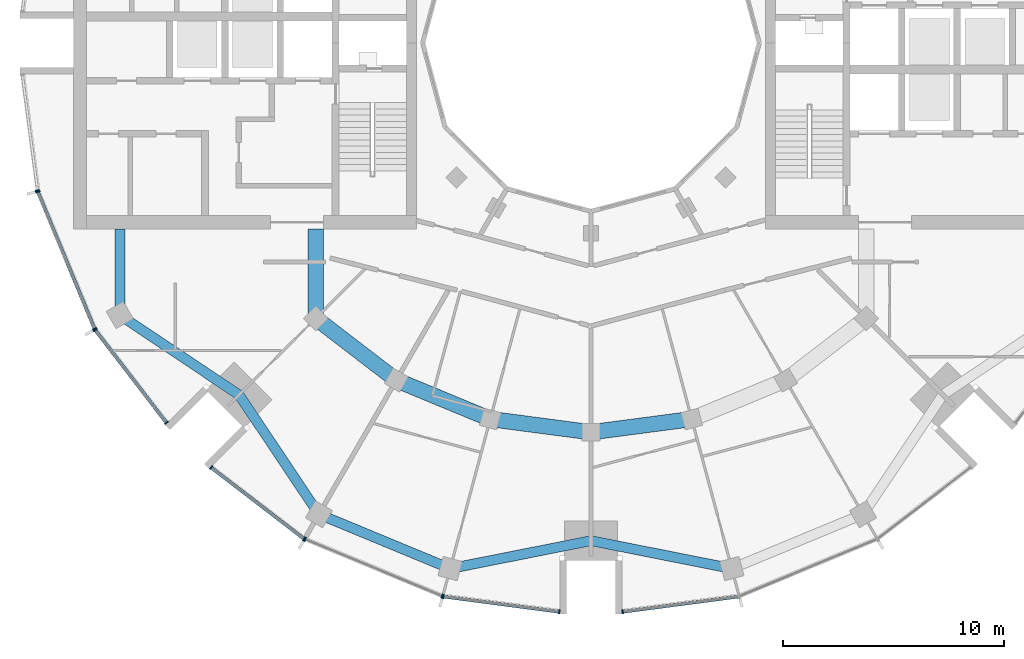
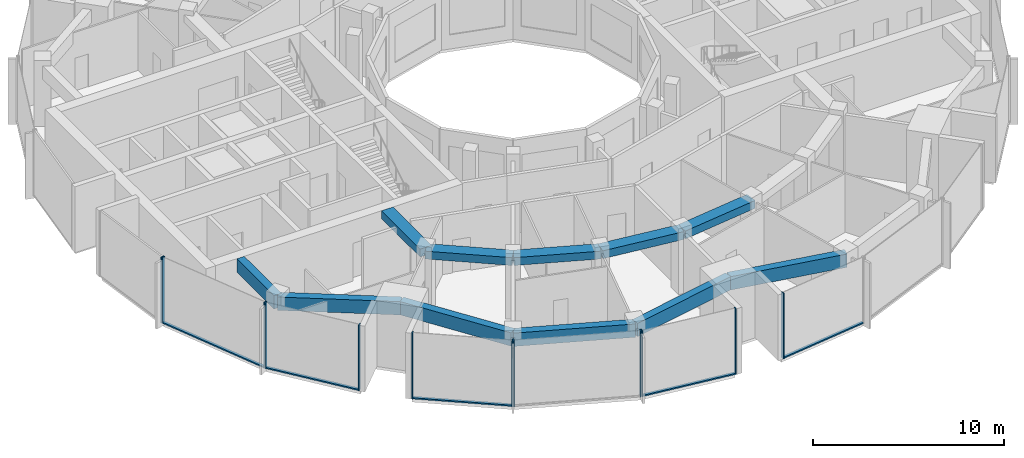
# One storey, part 2 of 15: 17 members, 11 beams, 7 elements without a shape of their own.
"""IFC4 building model written with IfcOpenShell, lengths in metres."""

from ifc_helpers import new_model, si_unit, direction, frame, origin, origin_2d, place, context, subcontext, project, spatial, rectangle, extrude, material, layer, layer_set, material_profile, profile_set, type_object, element, aggregate, save


model = new_model("IFC4")

# Units and contexts
model_context = context("Model", 3, precision=1e-05, world=origin(), true_north=direction((0.0, 1.0)))
body_context = subcontext(model_context, "Body", "Model", "MODEL_VIEW")
ifc_project = project(units=[si_unit("LENGTHUNIT", "METRE"), si_unit("AREAUNIT", "SQUARE_METRE"), si_unit("VOLUMEUNIT", "CUBIC_METRE"), si_unit("PLANEANGLEUNIT", "RADIAN"), si_unit("MASSUNIT", "GRAM", prefix="KILO")], contexts=[model_context])

# Site, building, storey
site_placement = place(None, origin())
site = spatial("IfcSite", under=ifc_project, at=site_placement, CompositionType="ELEMENT")
building_placement = place(site_placement, origin())
building = spatial("IfcBuilding", under=site, at=building_placement, Name="Torre Brocal", CompositionType="ELEMENT")
storey_placement = place(building_placement, frame((0.0, 0.0, 220.89990234375)))
storey = spatial("IfcBuildingStorey", under=building, at=storey_placement, Name="L51", CompositionType="ELEMENT", Elevation=220.89990234375)

# Curtain wall, members
ifc_material_1 = material(Name="Aluminium and glass", Category="aluminium")
ifc_layer_1 = layer(ifc_material_1, 0.199951171875)
ifc_layer_set_1 = layer_set([ifc_layer_1], Name="Aluminium and glass")
curtain_wall_type_1 = type_object("IfcCurtainWallType", Name="CW-1 CURTAIN WALL 4200 HIGH", PredefinedType="NOTDEFINED", material=ifc_layer_set_1)
curtain_wall_1_placement = place(storey_placement, origin())
curtain_wall_1 = element("IfcCurtainWall", 1, at=curtain_wall_1_placement, inside=storey, type_object=curtain_wall_type_1, Name="CW-1 RUN 14", PredefinedType="NOTDEFINED")
ifc_material_2 = material(Name="Aluminium, dark anodised", Category="aluminium")
ifc_material_profile_1 = material_profile(ifc_material_2, rectangle(XDim=0.199951171875, YDim=0.06005859375, at=origin_2d()), Name="CW-1 MULLION 60X200")
ifc_profile_set_1 = profile_set([ifc_material_profile_1], Name="Aluminium, dark anodised")
member_type_1 = type_object("IfcMemberType", Name="CW-1 MULLION 60X200", PredefinedType="MULLION", material=ifc_profile_set_1)
member_1_placement = place(storey_placement, frame((54.994873046875, 68.26904296875, 0.0), z_axis=(0.0, 0.0, 1.0), x_axis=(0.923879532525, 0.382683432333, 0.0)))
member_1 = element("IfcMember", 2, at=member_1_placement, type_object=member_type_1, Name="CW1-5 mullion 1", PredefinedType="MULLION", context=body_context, shape_type="SweptSolid", body=[
    extrude(rectangle(XDim=0.199951171875, YDim=0.06005859375, at=origin_2d()), origin(), (0.0, 0.0, 1.0), 4.2001953125),
])
member_2_placement = place(storey_placement, frame((57.559326171875, 62.078125, 0.0), z_axis=(0.0, 0.0, 1.0), x_axis=(0.923879532525, 0.382683432333, 0.0)))
member_2 = element("IfcMember", 3, at=member_2_placement, type_object=member_type_1, Name="CW1-5 mullion 2", PredefinedType="MULLION", context=body_context, shape_type="SweptSolid", body=[
    extrude(rectangle(XDim=0.199951171875, YDim=0.06005859375, at=origin_2d()), origin(), (0.0, 0.0, 1.0), 4.2001953125),
])

curtain_wall_2_placement = place(storey_placement, origin())
curtain_wall_2 = element("IfcCurtainWall", 4, at=curtain_wall_2_placement, inside=storey, type_object=curtain_wall_type_1, Name="CW-1 RUN 15", PredefinedType="NOTDEFINED")
member_3_placement = place(storey_placement, frame((57.5888671875, 62.026611328125, 0.0), z_axis=(0.0, 0.0, 1.0), x_axis=(0.793353340259, 0.60876142905, 0.0)))
member_3 = element("IfcMember", 5, at=member_3_placement, type_object=member_type_1, Name="CW1-5 mullion 1", PredefinedType="MULLION", context=body_context, shape_type="SweptSolid", body=[
    extrude(rectangle(XDim=0.199951171875, YDim=0.06005859375, at=origin_2d()), origin(), (0.0, 0.0, 1.0), 4.2001953125),
])
member_4_placement = place(storey_placement, frame((60.80859375, 57.83056640625, 0.0), z_axis=(0.0, 0.0, 1.0), x_axis=(0.793353340259, 0.60876142905, 0.0)))
member_4 = element("IfcMember", 6, at=member_4_placement, type_object=member_type_1, Name="CW1-5 mullion 2", PredefinedType="MULLION", context=body_context, shape_type="SweptSolid", body=[
    extrude(rectangle(XDim=0.199951171875, YDim=0.06005859375, at=origin_2d()), origin(), (0.0, 0.0, 1.0), 4.2001953125),
])

curtain_wall_3_placement = place(storey_placement, origin())
curtain_wall_3 = element("IfcCurtainWall", 7, at=curtain_wall_3_placement, inside=storey, type_object=curtain_wall_type_1, Name="CW-1 RUN 16", PredefinedType="NOTDEFINED")
member_5_placement = place(storey_placement, frame((62.83056640625, 55.80859375, 0.0), z_axis=(0.0, 0.0, 1.0), x_axis=(0.60876142905, 0.793353340259, 0.0)))
member_5 = element("IfcMember", 8, at=member_5_placement, type_object=member_type_1, Name="CW1-5 mullion 1", PredefinedType="MULLION", context=body_context, shape_type="SweptSolid", body=[
    extrude(rectangle(XDim=0.199951171875, YDim=0.06005859375, at=origin_2d()), origin(), (0.0, 0.0, 1.0), 4.2001953125),
])
member_6_placement = place(storey_placement, frame((67.026611328125, 52.5888671875, 0.0), z_axis=(0.0, 0.0, 1.0), x_axis=(0.60876142905, 0.793353340259, 0.0)))
member_6 = element("IfcMember", 9, at=member_6_placement, type_object=member_type_1, Name="CW1-5 mullion 2", PredefinedType="MULLION", context=body_context, shape_type="SweptSolid", body=[
    extrude(rectangle(XDim=0.199951171875, YDim=0.06005859375, at=origin_2d()), origin(), (0.0, 0.0, 1.0), 4.2001953125),
])

curtain_wall_4_placement = place(storey_placement, origin())
curtain_wall_4 = element("IfcCurtainWall", 10, at=curtain_wall_4_placement, inside=storey, type_object=curtain_wall_type_1, Name="CW-1 RUN 17", PredefinedType="NOTDEFINED")
member_7_placement = place(storey_placement, frame((67.078125, 52.559326171875, 0.0), z_axis=(0.0, 0.0, 1.0), x_axis=(0.382683432333, 0.923879532525, 0.0)))
member_7 = element("IfcMember", 11, at=member_7_placement, type_object=member_type_1, Name="CW1-5 mullion 1", PredefinedType="MULLION", context=body_context, shape_type="SweptSolid", body=[
    extrude(rectangle(XDim=0.199951171875, YDim=0.06005859375, at=origin_2d()), origin(), (0.0, 0.0, 1.0), 4.2001953125),
])
member_8_placement = place(storey_placement, frame((73.26904296875, 49.994873046875, 0.0), z_axis=(0.0, 0.0, 1.0), x_axis=(0.382683432333, 0.923879532525, 0.0)))
member_8 = element("IfcMember", 12, at=member_8_placement, type_object=member_type_1, Name="CW1-5 mullion 2", PredefinedType="MULLION", context=body_context, shape_type="SweptSolid", body=[
    extrude(rectangle(XDim=0.199951171875, YDim=0.06005859375, at=origin_2d()), origin(), (0.0, 0.0, 1.0), 4.2001953125),
])
aggregate(curtain_wall_4, [member_7, member_8])

curtain_wall_5_placement = place(storey_placement, origin())
curtain_wall_5 = element("IfcCurtainWall", 13, at=curtain_wall_5_placement, inside=storey, type_object=curtain_wall_type_1, Name="CW-1 RUN 18", PredefinedType="NOTDEFINED")
member_9_placement = place(storey_placement, frame((73.32666015625, 49.9794921875, 0.0), z_axis=(0.0, 0.0, 1.0), x_axis=(0.13052619222, 0.991444861374, 0.0)))
member_9 = element("IfcMember", 14, at=member_9_placement, type_object=member_type_1, Name="CW1-5 mullion 1", PredefinedType="MULLION", context=body_context, shape_type="SweptSolid", body=[
    extrude(rectangle(XDim=0.199951171875, YDim=0.06005859375, at=origin_2d()), origin(), (0.0, 0.0, 1.0), 4.2001953125),
])
member_10_placement = place(storey_placement, frame((78.5703125, 49.2890625, 0.0), z_axis=(0.0, 0.0, 1.0), x_axis=(0.13052619222, 0.991444861374, 0.0)))
member_10 = element("IfcMember", 15, at=member_10_placement, type_object=member_type_1, Name="CW1-5 mullion 2", PredefinedType="MULLION", context=body_context, shape_type="SweptSolid", body=[
    extrude(rectangle(XDim=0.199951171875, YDim=0.06005859375, at=origin_2d()), origin(), (0.0, 0.0, 1.0), 4.2001953125),
])

# Curtain wall, member
curtain_wall_6_placement = place(storey_placement, origin())
curtain_wall_6 = element("IfcCurtainWall", 16, at=curtain_wall_6_placement, inside=storey, type_object=curtain_wall_type_1, Name="CW-1 RUN 19", PredefinedType="NOTDEFINED")
member_11_placement = place(storey_placement, frame((81.4296875, 49.2890625, 0.0), z_axis=(0.0, 0.0, 1.0), x_axis=(-0.13052619222, 0.991444861374, 0.0)))
member_11 = element("IfcMember", 17, at=member_11_placement, type_object=member_type_1, Name="CW1-5 mullion 1", PredefinedType="MULLION", context=body_context, shape_type="SweptSolid", body=[
    extrude(rectangle(XDim=0.199951171875, YDim=0.06005859375, at=origin_2d()), origin(), (0.0, 0.0, 1.0), 4.2001953125),
])

# Member
ifc_material_3 = material(Name="Aluminium, dark anodised", Category="aluminium")
ifc_material_profile_2 = material_profile(ifc_material_3, rectangle(XDim=0.159912109375, YDim=0.080078125, at=origin_2d()), Name="CW-1 TRANSOM 160X80")
ifc_profile_set_2 = profile_set([ifc_material_profile_2], Name="Aluminium, dark anodised")
member_type_2 = type_object("IfcMemberType", Name="CW-1 TRANSOM 160X80", PredefinedType="USERDEFINED", material=ifc_profile_set_2)
member_12_placement = place(storey_placement, frame((55.00634765625, 68.241455078125, 0.0400390625), z_axis=(0.38266457234, -0.923887344364, 0.0), x_axis=(0.923887344364, 0.38266457234, 0.0)))
member_12 = element("IfcMember", 18, at=member_12_placement, type_object=member_type_2, Name="CW1-5 transom 1.1", ObjectType="TRANSOM", PredefinedType="USERDEFINED", context=body_context, shape_type="SweptSolid", body=[
    extrude(rectangle(XDim=0.159912109375, YDim=0.080078125, at=origin_2d()), origin(), (0.0, 0.0, 1.0), 6.640869140625),
])

aggregate(curtain_wall_1, [member_1, member_2, member_12])

member_13_placement = place(storey_placement, frame((57.607177734375, 62.0029296875, 0.0400390625), z_axis=(0.60874908096, -0.79336281513, 0.0), x_axis=(0.79336281513, 0.60874908096, 0.0)))
member_13 = element("IfcMember", 19, at=member_13_placement, type_object=member_type_2, Name="CW1-5 transom 1.1", ObjectType="TRANSOM", PredefinedType="USERDEFINED", context=body_context, shape_type="SweptSolid", body=[
    extrude(rectangle(XDim=0.159912109375, YDim=0.080078125, at=origin_2d()), origin(), (0.0, 0.0, 1.0), 5.22900390625),
])

aggregate(curtain_wall_2, [member_3, member_4, member_13])

member_14_placement = place(storey_placement, frame((62.8544921875, 55.790283203125, 0.0400390625), z_axis=(0.79336281513, -0.60874908096, 0.0), x_axis=(0.60874908096, 0.79336281513, 0.0)))
member_14 = element("IfcMember", 20, at=member_14_placement, type_object=member_type_2, Name="CW1-5 transom 1.1", ObjectType="TRANSOM", PredefinedType="USERDEFINED", context=body_context, shape_type="SweptSolid", body=[
    extrude(rectangle(XDim=0.159912109375, YDim=0.080078125, at=origin_2d()), origin(), (0.0, 0.0, 1.0), 5.22900390625),
])

aggregate(curtain_wall_3, [member_5, member_6, member_14])

member_15_placement = place(storey_placement, frame((73.356201171875, 49.9755859375, 0.0400390625), z_axis=(0.991442690863, -0.130542677827, 0.0), x_axis=(0.130542677827, 0.991442690863, 0.0)))
member_15 = element("IfcMember", 21, at=member_15_placement, type_object=member_type_2, Name="CW1-5 transom 1.1", ObjectType="TRANSOM", PredefinedType="USERDEFINED", context=body_context, shape_type="SweptSolid", body=[
    extrude(rectangle(XDim=0.159912109375, YDim=0.080078125, at=origin_2d()), origin(), (0.0, 0.0, 1.0), 5.22900390625),
])

aggregate(curtain_wall_5, [member_9, member_10, member_15])

member_16_placement = place(storey_placement, frame((81.45947265625, 49.29296875, 0.0400390625), z_axis=(0.991442690863, 0.130542677827, 0.0), x_axis=(-0.130542677827, 0.991442690863, 0.0)))
member_16 = element("IfcMember", 22, at=member_16_placement, type_object=member_type_2, Name="CW1-5 transom 1.1", ObjectType="TRANSOM", PredefinedType="USERDEFINED", context=body_context, shape_type="SweptSolid", body=[
    extrude(rectangle(XDim=0.159912109375, YDim=0.080078125, at=origin_2d()), origin(), (0.0, 0.0, 1.0), 5.22900390625),
])

aggregate(curtain_wall_6, [member_11, member_16])

# Curtain wall, member
ifc_material_4 = material(Name="Aluminium and glass", Category="aluminium")
ifc_layer_2 = layer(ifc_material_4, 0.199951171875)
ifc_layer_set_2 = layer_set([ifc_layer_2], Name="Aluminium and glass")
curtain_wall_type_2 = type_object("IfcCurtainWallType", Name="CW-1B CURTAIN WALL 4200 HIGH", PredefinedType="NOTDEFINED", material=ifc_layer_set_2)
curtain_wall_7_placement = place(storey_placement, origin())
curtain_wall_7 = element("IfcCurtainWall", 23, at=curtain_wall_7_placement, inside=storey, type_object=curtain_wall_type_2, Name="CW-1B RUN 13", PredefinedType="NOTDEFINED")
ifc_material_5 = material(Name="Aluminium, dark anodised", Category="aluminium")
ifc_material_profile_3 = material_profile(ifc_material_5, rectangle(XDim=0.199951171875, YDim=0.06005859375, at=origin_2d()), Name="CW-1B MULLION 60X200")
ifc_profile_set_3 = profile_set([ifc_material_profile_3], Name="Aluminium, dark anodised")
member_type_3 = type_object("IfcMemberType", Name="CW-1B MULLION 60X200", PredefinedType="MULLION", material=ifc_profile_set_3)
member_17_placement = place(storey_placement, frame((54.9794921875, 68.32666015625, 0.0), z_axis=(0.0, 0.0, 1.0), x_axis=(0.991444861374, 0.13052619222, 0.0)))
member_17 = element("IfcMember", 24, at=member_17_placement, type_object=member_type_3, Name="CW1B-5 mullion 2", PredefinedType="MULLION", context=body_context, shape_type="SweptSolid", body=[
    extrude(rectangle(XDim=0.199951171875, YDim=0.06005859375, at=origin_2d()), origin(), (0.0, 0.0, 1.0), 4.2001953125),
])
aggregate(curtain_wall_7, [member_17])

# Beams
ifc_material_6 = material(Name="Concrete C50", Category="concrete")
ifc_material_profile_4 = material_profile(ifc_material_6, rectangle(XDim=0.699951171875, YDim=0.5, at=origin_2d()), Name="RC 700X500")
ifc_profile_set_4 = profile_set([ifc_material_profile_4], Name="Concrete C50")
beam_type_1 = type_object("IfcBeamType", Name="RC BEAM 700X500 C50 TOP 3880", PredefinedType="BEAM", material=ifc_profile_set_4)
beam_1_placement = place(storey_placement, frame((67.554931640625, 62.554931640625, 3.630126953125), z_axis=(0.0, 1.0, 0.0), x_axis=(-1.0, 0.0, 0.0)))
element("IfcBeam", 25, at=beam_1_placement, inside=storey, type_object=beam_type_1, Name="Beam BT-37", PredefinedType="BEAM", context=body_context, shape_type="SweptSolid", body=[
    extrude(rectangle(XDim=0.699951171875, YDim=0.5, at=origin_2d()), origin(), (0.0, 0.0, 1.0), 4.045166015625),
])
beam_2_placement = place(storey_placement, frame((67.554931640625, 62.554931640625, 3.630126953125), z_axis=(0.793358265959, -0.6087550097, 0.0), x_axis=(0.6087550097, 0.793358265959, 0.0)))
element("IfcBeam", 26, at=beam_2_placement, inside=storey, type_object=beam_type_1, Name="Beam BT-37", PredefinedType="BEAM", context=body_context, shape_type="SweptSolid", body=[
    extrude(rectangle(XDim=0.699951171875, YDim=0.5, at=origin_2d()), origin(), (0.0, 0.0, 1.0), 4.594482421875),
])
beam_3_placement = place(storey_placement, frame((71.199951171875, 59.758056640625, 3.630126953125), z_axis=(0.923878240166, -0.382686552348, 0.0), x_axis=(0.382686552348, 0.923878240166, 0.0)))
element("IfcBeam", 27, at=beam_3_placement, inside=storey, type_object=beam_type_1, Name="Beam BT-37", PredefinedType="BEAM", context=body_context, shape_type="SweptSolid", body=[
    extrude(rectangle(XDim=0.699951171875, YDim=0.5, at=origin_2d()), origin(), (0.0, 0.0, 1.0), 4.5947265625),
])
for number, where, z_axis, x_axis, name in (
    (28, (75.44482421875, 57.999755859375, 3.630126953125), (0.991440544449, -0.130558978332, 0.0), (0.130558978332, 0.991440544449, 0.0), "Beam BT-37"),
    (29, (80.0, 57.39990234375, 3.630126953125), (0.991440544449, 0.130558978332, 0.0), (-0.130558978332, 0.991440544449, 0.0), "Beam BT-37"),
):
    element("IfcBeam", number, at=place(storey_placement, frame(where, z_axis=z_axis, x_axis=x_axis)), inside=storey, type_object=beam_type_1, Name=name, PredefinedType="BEAM", context=body_context, shape_type="SweptSolid", body=[
        extrude(rectangle(XDim=0.699951171875, YDim=0.5, at=origin_2d()), origin(), (0.0, 0.0, 1.0), 4.594482421875),
    ])
ifc_material_7 = material(Name="Concrete C50", Category="concrete")
ifc_material_profile_5 = material_profile(ifc_material_7, rectangle(XDim=0.449951171875, YDim=0.85009765625, at=origin_2d()), Name="RC 450X850")
ifc_profile_set_5 = profile_set([ifc_material_profile_5], Name="Concrete C50")
beam_type_2 = type_object("IfcBeamType", Name="RC SPANDREL BEAM 450X850 C50 TOP 3880", PredefinedType="SPANDREL", material=ifc_profile_set_5)
beam_4_placement = place(storey_placement, frame((58.69580078125, 62.699951171875, 3.455078125), z_axis=(0.0, 1.0, 0.0), x_axis=(-1.0, 0.0, 0.0)))
element("IfcBeam", 30, at=beam_4_placement, inside=storey, type_object=beam_type_2, Name="Beam BT-38", PredefinedType="SPANDREL", context=body_context, shape_type="SweptSolid", body=[
    extrude(rectangle(XDim=0.449951171875, YDim=0.85009765625, at=origin_2d()), origin(), (0.0, 0.0, 1.0), 3.900146484375),
])
for number, where, z_axis, x_axis, name in (
    (31, (58.69580078125, 62.699951171875, 3.455078125), (0.831076844476, -0.556157602282, 0.0), (0.556157602282, 0.831076844476, 0.0), "Beam BT-38"),
    (32, (64.090087890625, 59.090087890625, 3.455078125), (0.556157602282, -0.831076844476, 0.0), (0.831076844476, 0.556157602282, 0.0), "Beam BT-38"),
):
    element("IfcBeam", number, at=place(storey_placement, frame(where, z_axis=z_axis, x_axis=x_axis)), inside=storey, type_object=beam_type_2, Name=name, PredefinedType="SPANDREL", context=body_context, shape_type="SweptSolid", body=[
        extrude(rectangle(XDim=0.449951171875, YDim=0.85009765625, at=origin_2d()), origin(), (0.0, 0.0, 1.0), 6.49072265625),
    ])
beam_5_placement = place(storey_placement, frame((67.699951171875, 53.69580078125, 3.455078125), z_axis=(0.923882462513, -0.382676358639, 0.0), x_axis=(0.382676358639, 0.923882462513, 0.0)))
element("IfcBeam", 33, at=beam_5_placement, inside=storey, type_object=beam_type_2, Name="Beam BT-38", PredefinedType="SPANDREL", context=body_context, shape_type="SweptSolid", body=[
    extrude(rectangle(XDim=0.449951171875, YDim=0.85009765625, at=origin_2d()), origin(), (0.0, 0.0, 1.0), 6.421875),
])
for number, where, z_axis, x_axis, name in (
    (34, (73.633056640625, 51.23828125, 3.455078125), (0.980924907484, 0.194387051723, 0.0), (-0.194387051723, 0.980924907484, 0.0), "Beam BT-38"),
    (35, (80.0, 52.5, 3.455078125), (0.980924907484, -0.194387051723, 0.0), (0.194387051723, 0.980924907484, 0.0), "Beam BT-38"),
):
    element("IfcBeam", number, at=place(storey_placement, frame(where, z_axis=z_axis, x_axis=x_axis)), inside=storey, type_object=beam_type_2, Name=name, PredefinedType="SPANDREL", context=body_context, shape_type="SweptSolid", body=[
        extrude(rectangle(XDim=0.449951171875, YDim=0.85009765625, at=origin_2d()), origin(), (0.0, 0.0, 1.0), 6.49072265625),
    ])

save(model, "model.ifc")
